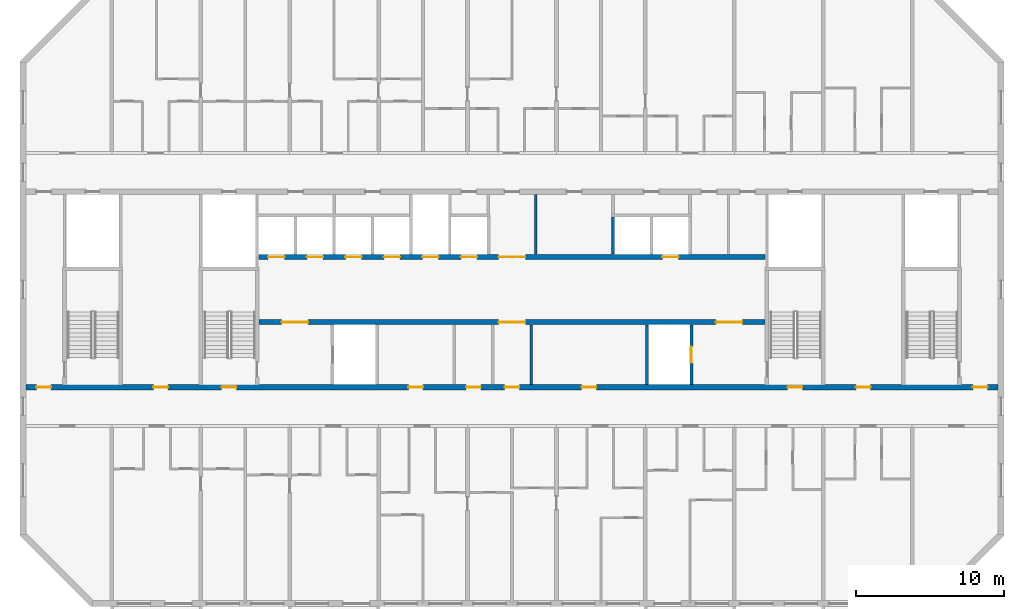
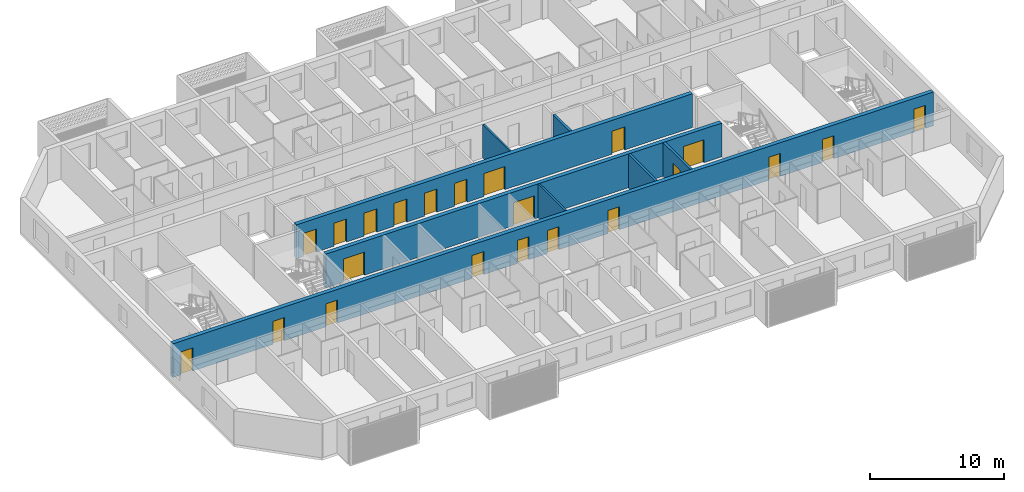
# One storey, part 6 of 26: 22 doors, 8 walls, 22 openings.
"""IFC4 building model written with IfcOpenShell, lengths in metres."""

from ifc_helpers import new_model, si_unit, direction, frame, frame_2d, origin, place, context, subcontext, project, spatial, rectangle, extrude, material, layer, layer_set, type_object, element, fill, save


model = new_model("IFC4")

# Units and contexts
model_context = context("Model", 3, precision=1e-05, world=origin(), true_north=direction((0.0, 1.0)))
body_context = subcontext(model_context, "Body", "Model", "MODEL_VIEW")
ifc_project = project(units=[si_unit("LENGTHUNIT", "METRE"), si_unit("AREAUNIT", "SQUARE_METRE"), si_unit("VOLUMEUNIT", "CUBIC_METRE"), si_unit("PLANEANGLEUNIT", "RADIAN"), si_unit("MASSUNIT", "GRAM", prefix="KILO")], contexts=[model_context])

# Site, building, storey
site_placement = place(None, origin())
site = spatial("IfcSite", under=ifc_project, at=site_placement, CompositionType="ELEMENT")
building_placement = place(site_placement, origin())
building = spatial("IfcBuilding", under=site, at=building_placement, Name="Poui Terraces", CompositionType="ELEMENT")
storey_placement = place(building_placement, frame((0.0, 0.0, 244.5)))
storey = spatial("IfcBuildingStorey", under=building, at=storey_placement, Name="L68", CompositionType="ELEMENT", Elevation=244.5)

# Wall, openings, doors
ifc_material_1 = material(Name="Concrete 50 MPa", Category="concrete")
ifc_layer_1 = layer(ifc_material_1, 0.35009765625)
ifc_layer_set_1 = layer_set([ifc_layer_1], Name="Concrete 50 MPa")
wall_type_1 = type_object("IfcWallType", Name="CORE WALL 350 50 MPA", PredefinedType="SOLIDWALL", material=ifc_layer_set_1)
wall_1_placement = place(storey_placement, frame((33.925048828125, 19.0, 0.0), z_axis=(0.0, 0.0, 1.0), x_axis=(1.0, 0.0, 0.0)))
wall_1 = element("IfcWall", 1, at=wall_1_placement, inside=storey, type_object=wall_type_1, Name="CORE WALL", PredefinedType="SOLIDWALL", context=body_context, shape_type="SweptSolid", body=[
    extrude(rectangle(XDim=34.14990234375, YDim=0.35009765625, at=frame_2d((17.074951171875, 0.0))), origin(), (0.0, 0.0, 1.0), 3.080078125),
])
opening_1_placement = place(wall_1_placement, frame((16.175048828125, 0.0, 0.0)))
opening_1 = element("IfcOpeningElement", 2, at=opening_1_placement, cuts=wall_1, Name="Opening FDD60", PredefinedType="OPENING", context=body_context, shape_type="SweptSolid", body=[
    extrude(rectangle(XDim=1.800048828125, YDim=2.10009765625, at=frame_2d((0.89990234375, 1.050048828125))), frame((0.0, 0.18505859375, 0.0), z_axis=(0.0, -1.0, 0.0), x_axis=(1.0, 0.0, 0.0)), (0.0, 0.0, 1.0), 0.3701171875),
])
opening_2_placement = place(wall_1_placement, frame((1.52490234375, 0.0, 0.0)))
opening_2 = element("IfcOpeningElement", 3, at=opening_2_placement, cuts=wall_1, Name="Opening FDD60", PredefinedType="OPENING", context=body_context, shape_type="SweptSolid", body=[
    extrude(rectangle(XDim=1.800048828125, YDim=2.10009765625, at=frame_2d((0.89990234375, 1.050048828125))), frame((0.0, 0.18505859375, 0.0), z_axis=(0.0, -1.0, 0.0), x_axis=(1.0, 0.0, 0.0)), (0.0, 0.0, 1.0), 0.3701171875),
])
opening_3_placement = place(wall_1_placement, frame((30.824951171875, 0.0, 0.0)))
opening_3 = element("IfcOpeningElement", 4, at=opening_3_placement, cuts=wall_1, Name="Opening FDD60", PredefinedType="OPENING", context=body_context, shape_type="SweptSolid", body=[
    extrude(rectangle(XDim=1.800048828125, YDim=2.10009765625, at=frame_2d((0.89990234375, 1.050048828125))), frame((0.0, 0.18505859375, 0.0), z_axis=(0.0, -1.0, 0.0), x_axis=(1.0, 0.0, 0.0)), (0.0, 0.0, 1.0), 0.3701171875),
])
ifc_material_2 = material(Name="Steel fire door", Category="steel")
door_type_1 = type_object("IfcDoorType", Name="DOUBLE LOBBY FIRE DOOR 1800 X 2100", OperationType="DOUBLE_DOOR_SINGLE_SWING", PredefinedType="DOOR", material=ifc_material_2)
door_1_placement = place(opening_1_placement, frame((1.800048828125, 0.0, 0.0), z_axis=(0.0, 0.0, 1.0), x_axis=(-1.0, 0.0, 0.0)))
door_1 = element("IfcDoor", 5, at=door_1_placement, inside=storey, type_object=door_type_1, Name="DOUBLE LOBBY FIRE DOOR 100", OperationType="DOUBLE_DOOR_SINGLE_SWING", OverallHeight=2.10009765625, OverallWidth=1.800048828125, PredefinedType="DOOR", context=body_context, shape_type="SweptSolid", body=[
    extrude(rectangle(XDim=1.800048828125, YDim=2.10009765625, at=frame_2d((0.89990234375, 1.050048828125))), frame((0.0, 0.02490234375, 0.0), z_axis=(0.0, -1.0, 0.0), x_axis=(1.0, 0.0, 0.0)), (0.0, 0.0, 1.0), 0.050048828125),
])
fill(opening_1, door_1)
door_2_placement = place(opening_2_placement, origin())
door_2 = element("IfcDoor", 6, at=door_2_placement, inside=storey, type_object=door_type_1, Name="DOUBLE LOBBY FIRE DOOR 102", OperationType="DOUBLE_DOOR_SINGLE_SWING", OverallHeight=2.10009765625, OverallWidth=1.800048828125, PredefinedType="DOOR", context=body_context, shape_type="SweptSolid", body=[
    extrude(rectangle(XDim=1.800048828125, YDim=2.10009765625, at=frame_2d((0.89990234375, 1.050048828125))), frame((0.0, 0.02490234375, 0.0), z_axis=(0.0, -1.0, 0.0), x_axis=(1.0, 0.0, 0.0)), (0.0, 0.0, 1.0), 0.050048828125),
])
fill(opening_2, door_2)
door_3_placement = place(opening_3_placement, origin())
door_3 = element("IfcDoor", 7, at=door_3_placement, inside=storey, type_object=door_type_1, Name="DOUBLE LOBBY FIRE DOOR 109", OperationType="DOUBLE_DOOR_SINGLE_SWING", OverallHeight=2.10009765625, OverallWidth=1.800048828125, PredefinedType="DOOR", context=body_context, shape_type="SweptSolid", body=[
    extrude(rectangle(XDim=1.800048828125, YDim=2.10009765625, at=frame_2d((0.89990234375, 1.050048828125))), frame((0.0, 0.02490234375, 0.0), z_axis=(0.0, -1.0, 0.0), x_axis=(1.0, 0.0, 0.0)), (0.0, 0.0, 1.0), 0.050048828125),
])
fill(opening_3, door_3)

wall_2_placement = place(storey_placement, frame((33.925048828125, 23.39990234375, 0.0), z_axis=(0.0, 0.0, 1.0), x_axis=(1.0, 0.0, 0.0)))
wall_2 = element("IfcWall", 8, at=wall_2_placement, inside=storey, type_object=wall_type_1, Name="CORE WALL", PredefinedType="SOLIDWALL", context=body_context, shape_type="SweptSolid", body=[
    extrude(rectangle(XDim=34.14990234375, YDim=0.35009765625, at=frame_2d((17.074951171875, 0.0))), origin(), (0.0, 0.0, 1.0), 3.080078125),
])
opening_4_placement = place(wall_2_placement, frame((16.175048828125, 0.0, 0.0)))
opening_4 = element("IfcOpeningElement", 9, at=opening_4_placement, cuts=wall_2, Name="Opening FDD60", PredefinedType="OPENING", context=body_context, shape_type="SweptSolid", body=[
    extrude(rectangle(XDim=1.800048828125, YDim=2.10009765625, at=frame_2d((0.89990234375, 1.050048828125))), frame((0.0, 0.18505859375, 0.0), z_axis=(0.0, -1.0, 0.0), x_axis=(1.0, 0.0, 0.0)), (0.0, 0.0, 1.0), 0.3701171875),
])
opening_5_placement = place(wall_2_placement, frame((0.625, 0.0, 0.0)))
opening_5 = element("IfcOpeningElement", 10, at=opening_5_placement, cuts=wall_2, Name="Opening LD", PredefinedType="OPENING", context=body_context, shape_type="SweptSolid", body=[
    extrude(rectangle(XDim=1.10009765625, YDim=2.10009765625, at=frame_2d((0.550048828125, 1.050048828125))), frame((0.0, 0.18505859375, 0.0), z_axis=(0.0, -1.0, 0.0), x_axis=(1.0, 0.0, 0.0)), (0.0, 0.0, 1.0), 0.3701171875),
])
opening_6_placement = place(wall_2_placement, frame((3.22509765625, 0.0, 0.0)))
opening_6 = element("IfcOpeningElement", 11, at=opening_6_placement, cuts=wall_2, Name="Opening LD", PredefinedType="OPENING", context=body_context, shape_type="SweptSolid", body=[
    extrude(rectangle(XDim=1.10009765625, YDim=2.10009765625, at=frame_2d((0.550048828125, 1.050048828125))), frame((0.0, 0.18505859375, 0.0), z_axis=(0.0, -1.0, 0.0), x_axis=(1.0, 0.0, 0.0)), (0.0, 0.0, 1.0), 0.3701171875),
])
opening_7_placement = place(wall_2_placement, frame((5.824951171875, 0.0, 0.0)))
opening_7 = element("IfcOpeningElement", 12, at=opening_7_placement, cuts=wall_2, Name="Opening LD", PredefinedType="OPENING", context=body_context, shape_type="SweptSolid", body=[
    extrude(rectangle(XDim=1.10009765625, YDim=2.10009765625, at=frame_2d((0.550048828125, 1.050048828125))), frame((0.0, 0.18505859375, 0.0), z_axis=(0.0, -1.0, 0.0), x_axis=(1.0, 0.0, 0.0)), (0.0, 0.0, 1.0), 0.3701171875),
])
opening_8_placement = place(wall_2_placement, frame((8.425048828125, 0.0, 0.0)))
opening_8 = element("IfcOpeningElement", 13, at=opening_8_placement, cuts=wall_2, Name="Opening LD", PredefinedType="OPENING", context=body_context, shape_type="SweptSolid", body=[
    extrude(rectangle(XDim=1.10009765625, YDim=2.10009765625, at=frame_2d((0.550048828125, 1.050048828125))), frame((0.0, 0.18505859375, 0.0), z_axis=(0.0, -1.0, 0.0), x_axis=(1.0, 0.0, 0.0)), (0.0, 0.0, 1.0), 0.3701171875),
])
opening_9_placement = place(wall_2_placement, frame((11.02490234375, 0.0, 0.0)))
opening_9 = element("IfcOpeningElement", 14, at=opening_9_placement, cuts=wall_2, Name="Opening LD", PredefinedType="OPENING", context=body_context, shape_type="SweptSolid", body=[
    extrude(rectangle(XDim=1.10009765625, YDim=2.10009765625, at=frame_2d((0.550048828125, 1.050048828125))), frame((0.0, 0.18505859375, 0.0), z_axis=(0.0, -1.0, 0.0), x_axis=(1.0, 0.0, 0.0)), (0.0, 0.0, 1.0), 0.3701171875),
])
opening_10_placement = place(wall_2_placement, frame((13.625, 0.0, 0.0)))
opening_10 = element("IfcOpeningElement", 15, at=opening_10_placement, cuts=wall_2, Name="Opening LD", PredefinedType="OPENING", context=body_context, shape_type="SweptSolid", body=[
    extrude(rectangle(XDim=1.10009765625, YDim=2.10009765625, at=frame_2d((0.550048828125, 1.050048828125))), frame((0.0, 0.18505859375, 0.0), z_axis=(0.0, -1.0, 0.0), x_axis=(1.0, 0.0, 0.0)), (0.0, 0.0, 1.0), 0.3701171875),
])
opening_11_placement = place(wall_2_placement, frame((27.22509765625, 0.0, 0.0)))
opening_11 = element("IfcOpeningElement", 16, at=opening_11_placement, cuts=wall_2, Name="Opening LD", PredefinedType="OPENING", context=body_context, shape_type="SweptSolid", body=[
    extrude(rectangle(XDim=1.10009765625, YDim=2.10009765625, at=frame_2d((0.550048828125, 1.050048828125))), frame((0.0, 0.18505859375, 0.0), z_axis=(0.0, -1.0, 0.0), x_axis=(1.0, 0.0, 0.0)), (0.0, 0.0, 1.0), 0.3701171875),
])
door_4_placement = place(opening_4_placement, origin())
door_4 = element("IfcDoor", 17, at=door_4_placement, inside=storey, type_object=door_type_1, Name="DOUBLE LOBBY FIRE DOOR 099", OperationType="DOUBLE_DOOR_SINGLE_SWING", OverallHeight=2.10009765625, OverallWidth=1.800048828125, PredefinedType="DOOR", context=body_context, shape_type="SweptSolid", body=[
    extrude(rectangle(XDim=1.800048828125, YDim=2.10009765625, at=frame_2d((0.89990234375, 1.050048828125))), frame((0.0, 0.02490234375, 0.0), z_axis=(0.0, -1.0, 0.0), x_axis=(1.0, 0.0, 0.0)), (0.0, 0.0, 1.0), 0.050048828125),
])
fill(opening_4, door_4)
ifc_material_3 = material(Name="Stainless steel sliding door", Category="steel")
door_type_2 = type_object("IfcDoorType", Name="LIFT LANDING DOOR 1100 X 2100", OperationType="DOUBLE_DOOR_SLIDING", PredefinedType="DOOR", material=ifc_material_3)
door_5_placement = place(opening_5_placement, origin())
door_5 = element("IfcDoor", 18, at=door_5_placement, inside=storey, type_object=door_type_2, Name="LANDING DOOR", OperationType="DOUBLE_DOOR_SLIDING", OverallHeight=2.10009765625, OverallWidth=1.10009765625, PredefinedType="DOOR", context=body_context, shape_type="SweptSolid", body=[
    extrude(rectangle(XDim=1.10009765625, YDim=2.10009765625, at=frame_2d((0.550048828125, 1.050048828125))), frame((0.0, 0.02490234375, 0.0), z_axis=(0.0, -1.0, 0.0), x_axis=(1.0, 0.0, 0.0)), (0.0, 0.0, 1.0), 0.050048828125),
])
fill(opening_5, door_5)
door_6_placement = place(opening_6_placement, origin())
door_6 = element("IfcDoor", 19, at=door_6_placement, inside=storey, type_object=door_type_2, Name="LANDING DOOR", OperationType="DOUBLE_DOOR_SLIDING", OverallHeight=2.10009765625, OverallWidth=1.10009765625, PredefinedType="DOOR", context=body_context, shape_type="SweptSolid", body=[
    extrude(rectangle(XDim=1.10009765625, YDim=2.10009765625, at=frame_2d((0.550048828125, 1.050048828125))), frame((0.0, 0.02490234375, 0.0), z_axis=(0.0, -1.0, 0.0), x_axis=(1.0, 0.0, 0.0)), (0.0, 0.0, 1.0), 0.050048828125),
])
fill(opening_6, door_6)
door_7_placement = place(opening_7_placement, origin())
door_7 = element("IfcDoor", 20, at=door_7_placement, inside=storey, type_object=door_type_2, Name="LANDING DOOR", OperationType="DOUBLE_DOOR_SLIDING", OverallHeight=2.10009765625, OverallWidth=1.10009765625, PredefinedType="DOOR", context=body_context, shape_type="SweptSolid", body=[
    extrude(rectangle(XDim=1.10009765625, YDim=2.10009765625, at=frame_2d((0.550048828125, 1.050048828125))), frame((0.0, 0.02490234375, 0.0), z_axis=(0.0, -1.0, 0.0), x_axis=(1.0, 0.0, 0.0)), (0.0, 0.0, 1.0), 0.050048828125),
])
fill(opening_7, door_7)
door_8_placement = place(opening_8_placement, origin())
door_8 = element("IfcDoor", 21, at=door_8_placement, inside=storey, type_object=door_type_2, Name="LANDING DOOR", OperationType="DOUBLE_DOOR_SLIDING", OverallHeight=2.10009765625, OverallWidth=1.10009765625, PredefinedType="DOOR", context=body_context, shape_type="SweptSolid", body=[
    extrude(rectangle(XDim=1.10009765625, YDim=2.10009765625, at=frame_2d((0.550048828125, 1.050048828125))), frame((0.0, 0.02490234375, 0.0), z_axis=(0.0, -1.0, 0.0), x_axis=(1.0, 0.0, 0.0)), (0.0, 0.0, 1.0), 0.050048828125),
])
fill(opening_8, door_8)
door_9_placement = place(opening_9_placement, origin())
door_9 = element("IfcDoor", 22, at=door_9_placement, inside=storey, type_object=door_type_2, Name="LANDING DOOR", OperationType="DOUBLE_DOOR_SLIDING", OverallHeight=2.10009765625, OverallWidth=1.10009765625, PredefinedType="DOOR", context=body_context, shape_type="SweptSolid", body=[
    extrude(rectangle(XDim=1.10009765625, YDim=2.10009765625, at=frame_2d((0.550048828125, 1.050048828125))), frame((0.0, 0.02490234375, 0.0), z_axis=(0.0, -1.0, 0.0), x_axis=(1.0, 0.0, 0.0)), (0.0, 0.0, 1.0), 0.050048828125),
])
fill(opening_9, door_9)
door_10_placement = place(opening_10_placement, origin())
door_10 = element("IfcDoor", 23, at=door_10_placement, inside=storey, type_object=door_type_2, Name="LANDING DOOR", OperationType="DOUBLE_DOOR_SLIDING", OverallHeight=2.10009765625, OverallWidth=1.10009765625, PredefinedType="DOOR", context=body_context, shape_type="SweptSolid", body=[
    extrude(rectangle(XDim=1.10009765625, YDim=2.10009765625, at=frame_2d((0.550048828125, 1.050048828125))), frame((0.0, 0.02490234375, 0.0), z_axis=(0.0, -1.0, 0.0), x_axis=(1.0, 0.0, 0.0)), (0.0, 0.0, 1.0), 0.050048828125),
])
fill(opening_10, door_10)
door_11_placement = place(opening_11_placement, origin())
door_11 = element("IfcDoor", 24, at=door_11_placement, inside=storey, type_object=door_type_2, Name="LANDING DOOR", OperationType="DOUBLE_DOOR_SLIDING", OverallHeight=2.10009765625, OverallWidth=1.10009765625, PredefinedType="DOOR", context=body_context, shape_type="SweptSolid", body=[
    extrude(rectangle(XDim=1.10009765625, YDim=2.10009765625, at=frame_2d((0.550048828125, 1.050048828125))), frame((0.0, 0.02490234375, 0.0), z_axis=(0.0, -1.0, 0.0), x_axis=(1.0, 0.0, 0.0)), (0.0, 0.0, 1.0), 0.050048828125),
])
fill(opening_11, door_11)

# Walls
ifc_material_4 = material(Name="Fire-rated plasterboard wall")
ifc_layer_2 = layer(ifc_material_4, 0.14990234375)
ifc_layer_set_2 = layer_set([ifc_layer_2], Name="Fire-rated plasterboard wall")
wall_type_2 = type_object("IfcWallType", Name="CORRIDOR WALL 150", PredefinedType="PARTITIONING", material=ifc_layer_set_2)
for number, where, z_axis, x_axis, name in (
    (25, (52.300048828125, 14.784912109375, 0.0), (0.0, 0.0, 1.0), (0.0, 1.0, 0.0), "CORRIDOR WALL 150"),
    (26, (52.60009765625, 23.5849609375, 0.0), (0.0, 0.0, 1.0), (0.0, 1.0, 0.0), "CORRIDOR WALL 150"),
):
    element("IfcWall", number, at=place(storey_placement, frame(where, z_axis=z_axis, x_axis=x_axis)), inside=storey, type_object=wall_type_2, Name=name, PredefinedType="PARTITIONING", context=body_context, shape_type="SweptSolid", body=[
        extrude(rectangle(XDim=4.030029296875, YDim=0.14990234375, at=frame_2d((2.01513671875, 0.0))), origin(), (0.0, 0.0, 1.0), 3.080078125),
    ])
ifc_material_5 = material(Name="Fire-rated masonry shaft wall", Category="masonry")
ifc_layer_3 = layer(ifc_material_5, 0.199951171875)
ifc_layer_set_3 = layer_set([ifc_layer_3], Name="Fire-rated masonry shaft wall")
wall_type_3 = type_object("IfcWallType", Name="SHAFT WALL 200", PredefinedType="PARTITIONING", material=ifc_layer_set_3)
wall_3_placement = place(storey_placement, frame((57.800048828125, 23.5849609375, 0.0), z_axis=(0.0, 0.0, 1.0), x_axis=(0.0, 1.0, 0.0)))
element("IfcWall", 27, at=wall_3_placement, inside=storey, type_object=wall_type_3, Name="SHAFT WALL 200", PredefinedType="PARTITIONING", context=body_context, shape_type="SweptSolid", body=[
    extrude(rectangle(XDim=2.51513671875, YDim=0.199951171875, at=frame_2d((1.257568359375, 0.0))), origin(), (0.0, 0.0, 1.0), 3.080078125),
])
wall_4_placement = place(storey_placement, frame((60.10009765625, 14.784912109375, 0.0), z_axis=(0.0, 0.0, 1.0), x_axis=(0.0, 1.0, 0.0)))
element("IfcWall", 28, at=wall_4_placement, inside=storey, type_object=wall_type_3, Name="SHAFT WALL 200", PredefinedType="PARTITIONING", context=body_context, shape_type="SweptSolid", body=[
    extrude(rectangle(XDim=4.030029296875, YDim=0.199951171875, at=frame_2d((2.01513671875, 0.0))), origin(), (0.0, 0.0, 1.0), 3.080078125),
])

# Wall, opening, door
wall_5_placement = place(storey_placement, frame((63.10009765625, 14.784912109375, 0.0), z_axis=(0.0, 0.0, 1.0), x_axis=(0.0, 1.0, 0.0)))
wall_5 = element("IfcWall", 29, at=wall_5_placement, inside=storey, type_object=wall_type_3, Name="SHAFT WALL 200", PredefinedType="PARTITIONING", context=body_context, shape_type="SweptSolid", body=[
    extrude(rectangle(XDim=4.030029296875, YDim=0.199951171875, at=frame_2d((2.01513671875, 0.0))), origin(), (0.0, 0.0, 1.0), 3.080078125),
])
opening_12_placement = place(wall_5_placement, frame((1.465087890625, 0.0, 0.0)))
opening_12 = element("IfcOpeningElement", 30, at=opening_12_placement, cuts=wall_5, Name="Opening LD", PredefinedType="OPENING", context=body_context, shape_type="SweptSolid", body=[
    extrude(rectangle(XDim=1.10009765625, YDim=2.10009765625, at=frame_2d((0.550048828125, 1.050048828125))), frame((0.0, 0.10986328125, 0.0), z_axis=(0.0, -1.0, 0.0), x_axis=(1.0, 0.0, 0.0)), (0.0, 0.0, 1.0), 0.219970703125),
])
door_12_placement = place(opening_12_placement, origin())
door_12 = element("IfcDoor", 31, at=door_12_placement, inside=storey, type_object=door_type_2, Name="LANDING DOOR", OperationType="DOUBLE_DOOR_SLIDING", OverallHeight=2.10009765625, OverallWidth=1.10009765625, PredefinedType="DOOR", context=body_context, shape_type="SweptSolid", body=[
    extrude(rectangle(XDim=1.10009765625, YDim=2.10009765625, at=frame_2d((0.550048828125, 1.050048828125))), frame((0.0, 0.02490234375, 0.0), z_axis=(0.0, -1.0, 0.0), x_axis=(1.0, 0.0, 0.0)), (0.0, 0.0, 1.0), 0.050048828125),
])
fill(opening_12, door_12)

# Wall, openings, doors
ifc_layer_4 = layer(ifc_material_1, 0.35009765625)
ifc_layer_set_4 = layer_set([ifc_layer_4], Name="Concrete 50 MPa")
wall_type_4 = type_object("IfcWallType", Name="SPINE WALL 350 50 MPA", PredefinedType="SOLIDWALL", material=ifc_layer_set_4)
wall_6_placement = place(storey_placement, frame((18.199951171875, 14.60009765625, 0.0), z_axis=(0.0, 0.0, 1.0), x_axis=(1.0, 0.0, 0.0)))
wall_6 = element("IfcWall", 32, at=wall_6_placement, inside=storey, type_object=wall_type_4, Name="SPINE WALL", PredefinedType="SOLIDWALL", context=body_context, shape_type="SweptSolid", body=[
    extrude(rectangle(XDim=65.60009765625, YDim=0.35009765625, at=frame_2d((32.800048828125, 0.0))), origin(), (0.0, 0.0, 1.0), 3.080078125),
])
opening_13_placement = place(wall_6_placement, frame((0.699951171875, 0.0, 0.0)))
opening_13 = element("IfcOpeningElement", 33, at=opening_13_placement, cuts=wall_6, Name="Opening FDL", PredefinedType="OPENING", context=body_context, shape_type="SweptSolid", body=[
    extrude(rectangle(XDim=1.0, YDim=2.10009765625, at=frame_2d((0.5, 1.050048828125))), frame((0.0, 0.18505859375, 0.0), z_axis=(0.0, -1.0, 0.0), x_axis=(1.0, 0.0, 0.0)), (0.0, 0.0, 1.0), 0.3701171875),
])
opening_14_placement = place(wall_6_placement, frame((8.60009765625, 0.0, 0.0)))
opening_14 = element("IfcOpeningElement", 34, at=opening_14_placement, cuts=wall_6, Name="Opening D100", PredefinedType="OPENING", context=body_context, shape_type="SweptSolid", body=[
    extrude(rectangle(XDim=1.0, YDim=2.10009765625, at=frame_2d((0.5, 1.050048828125))), frame((0.0, 0.18505859375, 0.0), z_axis=(0.0, -1.0, 0.0), x_axis=(1.0, 0.0, 0.0)), (0.0, 0.0, 1.0), 0.3701171875),
])
opening_15_placement = place(wall_6_placement, frame((13.199951171875, 0.0, 0.0)))
opening_15 = element("IfcOpeningElement", 35, at=opening_15_placement, cuts=wall_6, Name="Opening FD60S", PredefinedType="OPENING", context=body_context, shape_type="SweptSolid", body=[
    extrude(rectangle(XDim=1.0, YDim=2.10009765625, at=frame_2d((0.5, 1.050048828125))), frame((0.0, 0.18505859375, 0.0), z_axis=(0.0, -1.0, 0.0), x_axis=(1.0, 0.0, 0.0)), (0.0, 0.0, 1.0), 0.3701171875),
])
opening_16_placement = place(wall_6_placement, frame((25.800048828125, 0.0, 0.0)))
opening_16 = element("IfcOpeningElement", 36, at=opening_16_placement, cuts=wall_6, Name="Opening FD60", PredefinedType="OPENING", context=body_context, shape_type="SweptSolid", body=[
    extrude(rectangle(XDim=1.0, YDim=2.10009765625, at=frame_2d((0.5, 1.050048828125))), frame((0.0, 0.18505859375, 0.0), z_axis=(0.0, -1.0, 0.0), x_axis=(1.0, 0.0, 0.0)), (0.0, 0.0, 1.0), 0.3701171875),
])
opening_17_placement = place(wall_6_placement, frame((29.699951171875, 0.0, 0.0)))
opening_17 = element("IfcOpeningElement", 37, at=opening_17_placement, cuts=wall_6, Name="Opening FD60", PredefinedType="OPENING", context=body_context, shape_type="SweptSolid", body=[
    extrude(rectangle(XDim=1.0, YDim=2.10009765625, at=frame_2d((0.5, 1.050048828125))), frame((0.0, 0.18505859375, 0.0), z_axis=(0.0, -1.0, 0.0), x_axis=(1.0, 0.0, 0.0)), (0.0, 0.0, 1.0), 0.3701171875),
])
opening_18_placement = place(wall_6_placement, frame((32.300048828125, 0.0, 0.0)))
opening_18 = element("IfcOpeningElement", 38, at=opening_18_placement, cuts=wall_6, Name="Opening FDL", PredefinedType="OPENING", context=body_context, shape_type="SweptSolid", body=[
    extrude(rectangle(XDim=1.0, YDim=2.10009765625, at=frame_2d((0.5, 1.050048828125))), frame((0.0, 0.18505859375, 0.0), z_axis=(0.0, -1.0, 0.0), x_axis=(1.0, 0.0, 0.0)), (0.0, 0.0, 1.0), 0.3701171875),
])
opening_19_placement = place(wall_6_placement, frame((37.5, 0.0, 0.0)))
opening_19 = element("IfcOpeningElement", 39, at=opening_19_placement, cuts=wall_6, Name="Opening FD60", PredefinedType="OPENING", context=body_context, shape_type="SweptSolid", body=[
    extrude(rectangle(XDim=1.0, YDim=2.10009765625, at=frame_2d((0.5, 1.050048828125))), frame((0.0, 0.18505859375, 0.0), z_axis=(0.0, -1.0, 0.0), x_axis=(1.0, 0.0, 0.0)), (0.0, 0.0, 1.0), 0.3701171875),
])
opening_20_placement = place(wall_6_placement, frame((51.39990234375, 0.0, 0.0)))
opening_20 = element("IfcOpeningElement", 40, at=opening_20_placement, cuts=wall_6, Name="Opening FD60S", PredefinedType="OPENING", context=body_context, shape_type="SweptSolid", body=[
    extrude(rectangle(XDim=1.0, YDim=2.10009765625, at=frame_2d((0.5, 1.050048828125))), frame((0.0, 0.18505859375, 0.0), z_axis=(0.0, -1.0, 0.0), x_axis=(1.0, 0.0, 0.0)), (0.0, 0.0, 1.0), 0.3701171875),
])
opening_21_placement = place(wall_6_placement, frame((56.0, 0.0, 0.0)))
opening_21 = element("IfcOpeningElement", 41, at=opening_21_placement, cuts=wall_6, Name="Opening D100", PredefinedType="OPENING", context=body_context, shape_type="SweptSolid", body=[
    extrude(rectangle(XDim=1.0, YDim=2.10009765625, at=frame_2d((0.5, 1.050048828125))), frame((0.0, 0.18505859375, 0.0), z_axis=(0.0, -1.0, 0.0), x_axis=(1.0, 0.0, 0.0)), (0.0, 0.0, 1.0), 0.3701171875),
])
opening_22_placement = place(wall_6_placement, frame((63.89990234375, 0.0, 0.0)))
opening_22 = element("IfcOpeningElement", 42, at=opening_22_placement, cuts=wall_6, Name="Opening FDL", PredefinedType="OPENING", context=body_context, shape_type="SweptSolid", body=[
    extrude(rectangle(XDim=1.0, YDim=2.10009765625, at=frame_2d((0.5, 1.050048828125))), frame((0.0, 0.18505859375, 0.0), z_axis=(0.0, -1.0, 0.0), x_axis=(1.0, 0.0, 0.0)), (0.0, 0.0, 1.0), 0.3701171875),
])
ifc_material_6 = material(Name="Solid core timber door", Category="wood")
door_type_3 = type_object("IfcDoorType", Name="ACCESSIBLE INTERNAL DOOR 1000 X 2100", OperationType="NOTDEFINED", PredefinedType="DOOR", material=ifc_material_6)
door_13_placement = place(opening_14_placement, frame((1.0, 0.0, 0.0), z_axis=(0.0, 0.0, 1.0), x_axis=(-1.0, 0.0, 0.0)))
door_13 = element("IfcDoor", 43, at=door_13_placement, inside=storey, type_object=door_type_3, Name="ACCESSIBLE INTERNAL DOOR 016", OperationType="SINGLE_SWING_LEFT", OverallHeight=2.10009765625, OverallWidth=1.0, PredefinedType="DOOR", context=body_context, shape_type="SweptSolid", body=[
    extrude(rectangle(XDim=1.0, YDim=2.10009765625, at=frame_2d((0.5, 1.050048828125))), frame((0.0, 0.02490234375, 0.0), z_axis=(0.0, -1.0, 0.0), x_axis=(1.0, 0.0, 0.0)), (0.0, 0.0, 1.0), 0.050048828125),
])
fill(opening_14, door_13)
door_14_placement = place(opening_21_placement, frame((1.0, 0.0, 0.0), z_axis=(0.0, 0.0, 1.0), x_axis=(-1.0, 0.0, 0.0)))
door_14 = element("IfcDoor", 44, at=door_14_placement, inside=storey, type_object=door_type_3, Name="ACCESSIBLE INTERNAL DOOR 023", OperationType="SINGLE_SWING_RIGHT", OverallHeight=2.10009765625, OverallWidth=1.0, PredefinedType="DOOR", context=body_context, shape_type="SweptSolid", body=[
    extrude(rectangle(XDim=1.0, YDim=2.10009765625, at=frame_2d((0.5, 1.050048828125))), frame((0.0, 0.02490234375, 0.0), z_axis=(0.0, -1.0, 0.0), x_axis=(1.0, 0.0, 0.0)), (0.0, 0.0, 1.0), 0.050048828125),
])
fill(opening_21, door_14)
door_type_4 = type_object("IfcDoorType", Name="LOBBY FIRE DOOR 1000 X 2100", OperationType="NOTDEFINED", PredefinedType="DOOR", material=ifc_material_2)
door_15_placement = place(opening_13_placement, frame((1.0, 0.0, 0.0), z_axis=(0.0, 0.0, 1.0), x_axis=(-1.0, 0.0, 0.0)))
door_15 = element("IfcDoor", 45, at=door_15_placement, inside=storey, type_object=door_type_4, Name="LOBBY FIRE DOOR 015", OperationType="SINGLE_SWING_RIGHT", OverallHeight=2.10009765625, OverallWidth=1.0, PredefinedType="DOOR", context=body_context, shape_type="SweptSolid", body=[
    extrude(rectangle(XDim=1.0, YDim=2.10009765625, at=frame_2d((0.5, 1.050048828125))), frame((0.0, 0.02490234375, 0.0), z_axis=(0.0, -1.0, 0.0), x_axis=(1.0, 0.0, 0.0)), (0.0, 0.0, 1.0), 0.050048828125),
])
fill(opening_13, door_15)
door_16_placement = place(opening_18_placement, frame((1.0, 0.0, 0.0), z_axis=(0.0, 0.0, 1.0), x_axis=(-1.0, 0.0, 0.0)))
door_16 = element("IfcDoor", 46, at=door_16_placement, inside=storey, type_object=door_type_4, Name="LOBBY FIRE DOOR 020", OperationType="SINGLE_SWING_LEFT", OverallHeight=2.10009765625, OverallWidth=1.0, PredefinedType="DOOR", context=body_context, shape_type="SweptSolid", body=[
    extrude(rectangle(XDim=1.0, YDim=2.10009765625, at=frame_2d((0.5, 1.050048828125))), frame((0.0, 0.02490234375, 0.0), z_axis=(0.0, -1.0, 0.0), x_axis=(1.0, 0.0, 0.0)), (0.0, 0.0, 1.0), 0.050048828125),
])
fill(opening_18, door_16)
door_17_placement = place(opening_22_placement, frame((1.0, 0.0, 0.0), z_axis=(0.0, 0.0, 1.0), x_axis=(-1.0, 0.0, 0.0)))
door_17 = element("IfcDoor", 47, at=door_17_placement, inside=storey, type_object=door_type_4, Name="LOBBY FIRE DOOR 024", OperationType="SINGLE_SWING_LEFT", OverallHeight=2.10009765625, OverallWidth=1.0, PredefinedType="DOOR", context=body_context, shape_type="SweptSolid", body=[
    extrude(rectangle(XDim=1.0, YDim=2.10009765625, at=frame_2d((0.5, 1.050048828125))), frame((0.0, 0.02490234375, 0.0), z_axis=(0.0, -1.0, 0.0), x_axis=(1.0, 0.0, 0.0)), (0.0, 0.0, 1.0), 0.050048828125),
])
fill(opening_22, door_17)
door_type_5 = type_object("IfcDoorType", Name="SERVICE ROOM FIRE DOOR 1000 X 2100", OperationType="NOTDEFINED", PredefinedType="DOOR", material=ifc_material_2)
door_18_placement = place(opening_16_placement, frame((1.0, 0.0, 0.0), z_axis=(0.0, 0.0, 1.0), x_axis=(-1.0, 0.0, 0.0)))
door_18 = element("IfcDoor", 48, at=door_18_placement, inside=storey, type_object=door_type_5, Name="SERVICE ROOM FIRE DOOR 018", OperationType="SINGLE_SWING_LEFT", OverallHeight=2.10009765625, OverallWidth=1.0, PredefinedType="DOOR", context=body_context, shape_type="SweptSolid", body=[
    extrude(rectangle(XDim=1.0, YDim=2.10009765625, at=frame_2d((0.5, 1.050048828125))), frame((0.0, 0.02490234375, 0.0), z_axis=(0.0, -1.0, 0.0), x_axis=(1.0, 0.0, 0.0)), (0.0, 0.0, 1.0), 0.050048828125),
])
fill(opening_16, door_18)
door_19_placement = place(opening_17_placement, frame((1.0, 0.0, 0.0), z_axis=(0.0, 0.0, 1.0), x_axis=(-1.0, 0.0, 0.0)))
door_19 = element("IfcDoor", 49, at=door_19_placement, inside=storey, type_object=door_type_5, Name="SERVICE ROOM FIRE DOOR 019", OperationType="SINGLE_SWING_RIGHT", OverallHeight=2.10009765625, OverallWidth=1.0, PredefinedType="DOOR", context=body_context, shape_type="SweptSolid", body=[
    extrude(rectangle(XDim=1.0, YDim=2.10009765625, at=frame_2d((0.5, 1.050048828125))), frame((0.0, 0.02490234375, 0.0), z_axis=(0.0, -1.0, 0.0), x_axis=(1.0, 0.0, 0.0)), (0.0, 0.0, 1.0), 0.050048828125),
])
fill(opening_17, door_19)
door_20_placement = place(opening_19_placement, frame((1.0, 0.0, 0.0), z_axis=(0.0, 0.0, 1.0), x_axis=(-1.0, 0.0, 0.0)))
door_20 = element("IfcDoor", 50, at=door_20_placement, inside=storey, type_object=door_type_5, Name="SERVICE ROOM FIRE DOOR 021", OperationType="SINGLE_SWING_LEFT", OverallHeight=2.10009765625, OverallWidth=1.0, PredefinedType="DOOR", context=body_context, shape_type="SweptSolid", body=[
    extrude(rectangle(XDim=1.0, YDim=2.10009765625, at=frame_2d((0.5, 1.050048828125))), frame((0.0, 0.02490234375, 0.0), z_axis=(0.0, -1.0, 0.0), x_axis=(1.0, 0.0, 0.0)), (0.0, 0.0, 1.0), 0.050048828125),
])
fill(opening_19, door_20)
door_type_6 = type_object("IfcDoorType", Name="STAIR DOOR 1000 X 2100", OperationType="NOTDEFINED", PredefinedType="DOOR", material=ifc_material_2)
door_21_placement = place(opening_15_placement, origin())
door_21 = element("IfcDoor", 51, at=door_21_placement, inside=storey, type_object=door_type_6, Name="STAIR DOOR 017", OperationType="SINGLE_SWING_RIGHT", OverallHeight=2.10009765625, OverallWidth=1.0, PredefinedType="DOOR", context=body_context, shape_type="SweptSolid", body=[
    extrude(rectangle(XDim=1.0, YDim=2.10009765625, at=frame_2d((0.5, 1.050048828125))), frame((0.0, 0.02490234375, 0.0), z_axis=(0.0, -1.0, 0.0), x_axis=(1.0, 0.0, 0.0)), (0.0, 0.0, 1.0), 0.050048828125),
])
fill(opening_15, door_21)
door_22_placement = place(opening_20_placement, origin())
door_22 = element("IfcDoor", 52, at=door_22_placement, inside=storey, type_object=door_type_6, Name="STAIR DOOR 022", OperationType="SINGLE_SWING_RIGHT", OverallHeight=2.10009765625, OverallWidth=1.0, PredefinedType="DOOR", context=body_context, shape_type="SweptSolid", body=[
    extrude(rectangle(XDim=1.0, YDim=2.10009765625, at=frame_2d((0.5, 1.050048828125))), frame((0.0, 0.02490234375, 0.0), z_axis=(0.0, -1.0, 0.0), x_axis=(1.0, 0.0, 0.0)), (0.0, 0.0, 1.0), 0.050048828125),
])
fill(opening_20, door_22)

save(model, "model.ifc")
